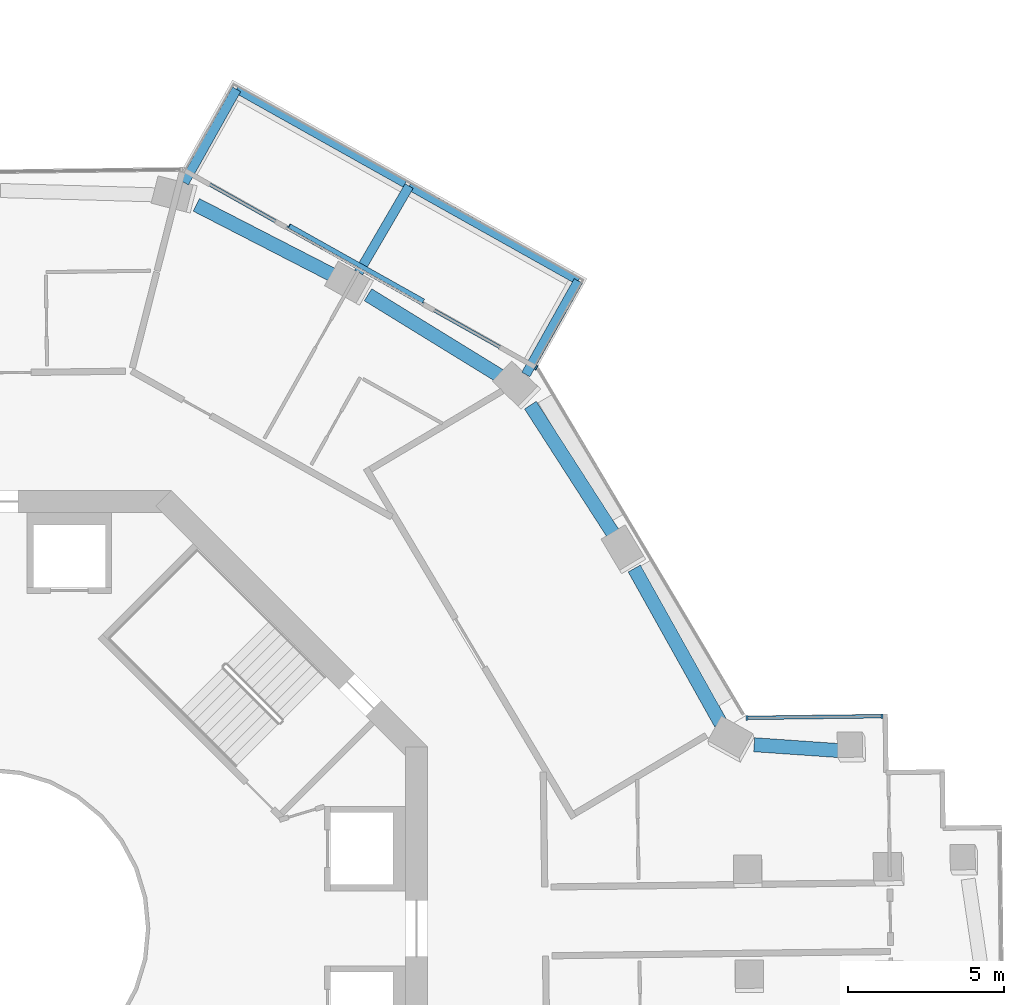
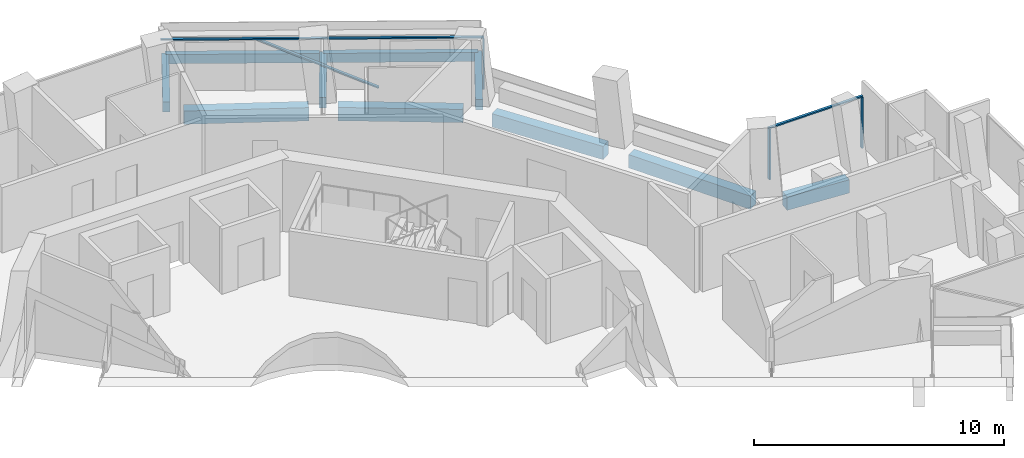
# One storey, part 9 of 21: 10 beams, 6 members, 2 elements without a shape of their own.
"""IFC4 building model written with IfcOpenShell, lengths in metres."""

from ifc_helpers import new_model, si_unit, direction, frame, origin, origin_2d, place, context, subcontext, project, spatial, rectangle, extrude, material, layer, layer_set, material_profile, profile_set, type_object, element, aggregate, save


model = new_model("IFC4")

# Units and contexts
model_context = context("Model", 3, precision=1e-05, world=origin(), true_north=direction((0.0, 1.0)))
body_context = subcontext(model_context, "Body", "Model", "MODEL_VIEW")
ifc_project = project(units=[si_unit("LENGTHUNIT", "METRE"), si_unit("AREAUNIT", "SQUARE_METRE"), si_unit("VOLUMEUNIT", "CUBIC_METRE"), si_unit("PLANEANGLEUNIT", "RADIAN"), si_unit("MASSUNIT", "GRAM", prefix="KILO")], contexts=[model_context])

# Site, building, storey
site_placement = place(None, origin())
site = spatial("IfcSite", under=ifc_project, at=site_placement, CompositionType="ELEMENT")
building_placement = place(site_placement, origin())
building = spatial("IfcBuilding", under=site, at=building_placement, Name="Verdalira Terraces Hotel", CompositionType="ELEMENT")
storey_placement = place(building_placement, frame((0.0, 0.0, 158.5)))
storey = spatial("IfcBuildingStorey", under=building, at=storey_placement, Name="L38", CompositionType="ELEMENT", Elevation=158.5)

# Beams
ifc_material_1 = material(Name="Concrete C40", Category="concrete")
ifc_material_profile_1 = material_profile(ifc_material_1, rectangle(XDim=0.300049, YDim=0.5, at=origin_2d()), Name="RC 300X500")
ifc_profile_set_1 = profile_set([ifc_material_profile_1], Name="Concrete C40")
beam_type_1 = type_object("IfcBeamType", Name="Balcony cantilever beam RC 300X500 C40", PredefinedType="BEAM", material=ifc_profile_set_1)
beam_1_placement = place(storey_placement, frame((17.13916, 17.708984, -0.560059), z_axis=(0.489084552, 0.872236379, 0.0), x_axis=(-0.872236379, 0.489084552, 0.0)))
element("IfcBeam", 1, at=beam_1_placement, inside=storey, type_object=beam_type_1, Name="Balcony cantilever beam R40-1", PredefinedType="BEAM", context=body_context, shape_type="SweptSolid", body=[
    extrude(rectangle(XDim=0.300049, YDim=0.5, at=origin_2d()), origin(), (0.0, 0.0, 1.0), 3.429443),
])
beam_2_placement = place(storey_placement, frame((11.796631, 20.967285, -0.560059), z_axis=(0.503619664, 0.863925479, 0.0), x_axis=(-0.863925479, 0.503619664, 0.0)))
element("IfcBeam", 2, at=beam_2_placement, inside=storey, type_object=beam_type_1, Name="Balcony cantilever beam R40-2", PredefinedType="BEAM", context=body_context, shape_type="SweptSolid", body=[
    extrude(rectangle(XDim=0.300049, YDim=0.5, at=origin_2d()), origin(), (0.0, 0.0, 1.0), 3.200928),
])
beam_3_placement = place(storey_placement, frame((6.221191, 23.842529, -0.560059), z_axis=(0.48909466, 0.872230711, 0.0), x_axis=(-0.872230711, 0.48909466, 0.0)))
element("IfcBeam", 3, at=beam_3_placement, inside=storey, type_object=beam_type_1, Name="Balcony cantilever beam R40-3", PredefinedType="BEAM", context=body_context, shape_type="SweptSolid", body=[
    extrude(rectangle(XDim=0.300049, YDim=0.5, at=origin_2d()), origin(), (0.0, 0.0, 1.0), 3.419189),
])
ifc_material_2 = material(Name="Concrete C40", Category="concrete")
ifc_material_profile_2 = material_profile(ifc_material_2, rectangle(XDim=0.25, YDim=0.449951, at=origin_2d()), Name="RC 250X450")
ifc_profile_set_2 = profile_set([ifc_material_profile_2], Name="Concrete C40")
beam_type_2 = type_object("IfcBeamType", Name="Balcony edge beam RC 250X450 C40", PredefinedType="BEAM", material=ifc_profile_set_2)
beam_4_placement = place(storey_placement, frame((18.816406, 20.700195, -0.534912), z_axis=(-0.872220485, 0.489112896, 0.0), x_axis=(-0.489112896, -0.872220485, 0.0)))
element("IfcBeam", 4, at=beam_4_placement, inside=storey, type_object=beam_type_2, Name="Balcony edge beam R40-1", PredefinedType="BEAM", context=body_context, shape_type="SweptSolid", body=[
    extrude(rectangle(XDim=0.25, YDim=0.449951, at=origin_2d()), origin(), (0.0, 0.0, 1.0), 6.199951),
])
beam_5_placement = place(storey_placement, frame((13.277588, 23.805908, -0.534912), z_axis=(-0.872230703, 0.489094675, 0.0), x_axis=(-0.489094675, -0.872230703, 0.0)))
element("IfcBeam", 5, at=beam_5_placement, inside=storey, type_object=beam_type_2, Name="Balcony edge beam R40-2", PredefinedType="BEAM", context=body_context, shape_type="SweptSolid", body=[
    extrude(rectangle(XDim=0.25, YDim=0.449951, at=origin_2d()), origin(), (0.0, 0.0, 1.0), 6.172607),
])

# Curtain wall, members
ifc_material_3 = material(Name="Clear glass", Category="glass")
ifc_layer_1 = layer(ifc_material_3, 0.14990234375)
ifc_layer_set_1 = layer_set([ifc_layer_1], Name="CW1 curtain wall")
curtain_wall_type_1 = type_object("IfcCurtainWallType", Name="CW1 curtain wall", PredefinedType="NOTDEFINED", material=ifc_layer_set_1)
curtain_wall_1_placement = place(storey_placement, origin())
curtain_wall_1 = element("IfcCurtainWall", 6, at=curtain_wall_1_placement, inside=storey, type_object=curtain_wall_type_1, Name="CW1 curtain wall L38 edge 40", PredefinedType="NOTDEFINED")
ifc_material_4 = material(Name="Terracotta frame", Category="masonry")
ifc_material_profile_3 = material_profile(ifc_material_4, rectangle(XDim=0.060059, YDim=0.149902, at=origin_2d()), Name="MU 60x150")
ifc_profile_set_3 = profile_set([ifc_material_profile_3], Name="Terracotta frame")
member_type_1 = type_object("IfcMemberType", Name="CW1 mullion 60x150", PredefinedType="MULLION", material=ifc_profile_set_3)
member_1_placement = place(storey_placement, frame((17.470947, 17.929443, 0.0), z_axis=(0.0, 0.0, 1.0), x_axis=(-0.872240046, 0.489078012, 0.0)))
member_1 = element("IfcMember", 7, at=member_1_placement, type_object=member_type_1, Name="CW1 mullion", PredefinedType="MULLION", context=body_context, shape_type="SweptSolid", body=[
    extrude(rectangle(XDim=0.060059, YDim=0.149902, at=origin_2d()), origin(), (0.0, 0.0, 1.0), 2.475098),
])
ifc_material_5 = material(Name="Terracotta frame", Category="masonry")
ifc_material_profile_4 = material_profile(ifc_material_5, rectangle(XDim=0.110107, YDim=0.064941, at=origin_2d()), Name="TR 65x110")
ifc_profile_set_4 = profile_set([ifc_material_profile_4], Name="Terracotta frame")
member_type_2 = type_object("IfcMemberType", Name="CW1 transom 65x110", PredefinedType="USERDEFINED", material=ifc_profile_set_4)
member_2_placement = place(storey_placement, frame((17.49707, 17.914551, 2.507568), z_axis=(-0.872237328, 0.48908286, 0.0), x_axis=(-0.48908286, -0.872237328, 0.0)))
member_2 = element("IfcMember", 8, at=member_2_placement, type_object=member_type_2, Name="CW1 transom", ObjectType="TRANSOM", PredefinedType="USERDEFINED", context=body_context, shape_type="SweptSolid", body=[
    extrude(rectangle(XDim=0.110107, YDim=0.064941, at=origin_2d()), origin(), (0.0, 0.0, 1.0), 12.959717),
])

ifc_material_6 = material(Name="Clear glass", Category="glass")
ifc_layer_2 = layer(ifc_material_6, 0.14990234375)
ifc_layer_set_2 = layer_set([ifc_layer_2], Name="CW2 curtain wall")
curtain_wall_type_2 = type_object("IfcCurtainWallType", Name="CW2 curtain wall", PredefinedType="NOTDEFINED", material=ifc_layer_set_2)
curtain_wall_2_placement = place(storey_placement, origin())
curtain_wall_2 = element("IfcCurtainWall", 9, at=curtain_wall_2_placement, inside=storey, type_object=curtain_wall_type_2, Name="CW2 curtain wall L38 edge 38", PredefinedType="NOTDEFINED")
ifc_material_7 = material(Name="Terracotta frame", Category="masonry")
ifc_material_profile_5 = material_profile(ifc_material_7, rectangle(XDim=0.070068, YDim=0.149902, at=origin_2d()), Name="MU 70x150")
ifc_profile_set_5 = profile_set([ifc_material_profile_5], Name="Terracotta frame")
member_type_3 = type_object("IfcMemberType", Name="CW2 mullion 70x150", PredefinedType="MULLION", material=ifc_profile_set_5)
member_3_placement = place(storey_placement, frame((28.523926, 6.783936, 0.0), z_axis=(0.0, 0.0, 1.0), x_axis=(-0.999921044, -0.01256604, 0.0)))
member_3 = element("IfcMember", 10, at=member_3_placement, type_object=member_type_3, Name="CW2 mullion", PredefinedType="MULLION", context=body_context, shape_type="SweptSolid", body=[
    extrude(rectangle(XDim=0.070068, YDim=0.149902, at=origin_2d()), origin(), (0.0, 0.0, 1.0), 2.475098),
])
member_4_placement = place(storey_placement, frame((24.210693, 6.729736, 0.0), z_axis=(0.0, 0.0, 1.0), x_axis=(-0.999921044, -0.01256604, 0.0)))
member_4 = element("IfcMember", 11, at=member_4_placement, type_object=member_type_3, Name="CW2 mullion", PredefinedType="MULLION", context=body_context, shape_type="SweptSolid", body=[
    extrude(rectangle(XDim=0.070068, YDim=0.149902, at=origin_2d()), origin(), (0.0, 0.0, 1.0), 2.475098),
])
ifc_material_8 = material(Name="Terracotta frame", Category="masonry")
ifc_material_profile_6 = material_profile(ifc_material_8, rectangle(XDim=0.11499, YDim=0.064941, at=origin_2d()), Name="TR 65x115")
ifc_profile_set_6 = profile_set([ifc_material_profile_6], Name="Terracotta frame")
member_type_4 = type_object("IfcMemberType", Name="CW2 transom 65x115", PredefinedType="USERDEFINED", material=ifc_profile_set_6)
member_5_placement = place(storey_placement, frame((28.559082, 6.784424, 2.507568), z_axis=(-0.999920784, -0.012586727, 0.0), x_axis=(0.012586727, -0.999920784, 0.0)))
member_5 = element("IfcMember", 12, at=member_5_placement, type_object=member_type_4, Name="CW2 transom", ObjectType="TRANSOM", PredefinedType="USERDEFINED", context=body_context, shape_type="SweptSolid", body=[
    extrude(rectangle(XDim=0.11499, YDim=0.064941, at=origin_2d()), origin(), (0.0, 0.0, 1.0), 4.383545),
])
aggregate(curtain_wall_2, [member_3, member_4, member_5])

# Member
ifc_material_9 = material(Name="Terracotta frame", Category="masonry")
ifc_material_profile_7 = material_profile(ifc_material_9, rectangle(XDim=0.149902, YDim=0.060059, at=origin_2d()), Name="GB 60x150")
ifc_profile_set_7 = profile_set([ifc_material_profile_7], Name="Terracotta frame")
member_type_5 = type_object("IfcMemberType", Name="Diagonal glazing bar 60x150", PredefinedType="USERDEFINED", material=ifc_profile_set_7)
member_6_placement = place(storey_placement, frame((13.855957, 20.05835, 0.027832), z_axis=(-0.782371976, 0.438695747, 0.442086115), x_axis=(-0.489084885, -0.872236192, 0.0)))
member_6 = element("IfcMember", 13, at=member_6_placement, type_object=member_type_5, Name="Diagonal glazing bar", ObjectType="GLAZING BAR", PredefinedType="USERDEFINED", context=body_context, shape_type="SweptSolid", body=[
    extrude(rectangle(XDim=0.149902, YDim=0.060059, at=origin_2d()), origin(), (0.0, 0.0, 1.0), 5.472656),
])

aggregate(curtain_wall_1, [member_1, member_2, member_6])

# Beams
ifc_material_10 = material(Name="Concrete C50", Category="concrete")
ifc_material_profile_8 = material_profile(ifc_material_10, rectangle(XDim=0.449951, YDim=0.649902, at=origin_2d()), Name="RC 450X650")
ifc_profile_set_8 = profile_set([ifc_material_profile_8], Name="Concrete C50")
beam_type_3 = type_object("IfcBeamType", Name="Spandrel beam RC 450X650 C50", PredefinedType="SPANDREL", material=ifc_profile_set_8)
beam_6_placement = place(storey_placement, frame((27.211914, 5.680908, -0.63501), z_axis=(-0.997614922, 0.069025117, 0.0), x_axis=(-0.069025117, -0.997614922, 0.0)))
element("IfcBeam", 14, at=beam_6_placement, inside=storey, type_object=beam_type_3, Name="Spandrel beam B17", PredefinedType="SPANDREL", context=body_context, shape_type="SweptSolid", body=[
    extrude(rectangle(XDim=0.449951, YDim=0.649902, at=origin_2d()), origin(), (0.0, 0.0, 1.0), 2.780029),
])
beam_7_placement = place(storey_placement, frame((23.372314, 6.554199, -0.63501), z_axis=(-0.487669893, 0.873028107, 0.0), x_axis=(-0.873028107, -0.487669893, 0.0)))
element("IfcBeam", 15, at=beam_7_placement, inside=storey, type_object=beam_type_3, Name="Spandrel beam B18", PredefinedType="SPANDREL", context=body_context, shape_type="SweptSolid", body=[
    extrude(rectangle(XDim=0.449951, YDim=0.649902, at=origin_2d()), origin(), (0.0, 0.0, 1.0), 5.672119),
])
beam_8_placement = place(storey_placement, frame((20.0, 12.514648, -0.63501), z_axis=(-0.5414344, 0.840742999, 0.0), x_axis=(-0.840742999, -0.5414344, 0.0)))
element("IfcBeam", 16, at=beam_8_placement, inside=storey, type_object=beam_type_3, Name="Spandrel beam B19", PredefinedType="SPANDREL", context=body_context, shape_type="SweptSolid", body=[
    extrude(rectangle(XDim=0.449951, YDim=0.649902, at=origin_2d()), origin(), (0.0, 0.0, 1.0), 5.012451),
])
beam_9_placement = place(storey_placement, frame((16.36499, 17.628662, -0.63501), z_axis=(-0.851631575, 0.524140878, 0.0), x_axis=(-0.524140878, -0.851631575, 0.0)))
element("IfcBeam", 17, at=beam_9_placement, inside=storey, type_object=beam_type_3, Name="Spandrel beam B20", PredefinedType="SPANDREL", context=body_context, shape_type="SweptSolid", body=[
    extrude(rectangle(XDim=0.449951, YDim=0.649902, at=origin_2d()), origin(), (0.0, 0.0, 1.0), 5.015625),
])
beam_10_placement = place(storey_placement, frame((11.062988, 20.837891, -0.63501), z_axis=(-0.889244214, 0.457432757, 0.0), x_axis=(-0.457432757, -0.889244214, 0.0)))
element("IfcBeam", 18, at=beam_10_placement, inside=storey, type_object=beam_type_3, Name="Spandrel beam B21", PredefinedType="SPANDREL", context=body_context, shape_type="SweptSolid", body=[
    extrude(rectangle(XDim=0.449951, YDim=0.649902, at=origin_2d()), origin(), (0.0, 0.0, 1.0), 5.012207),
])

save(model, "model.ifc")
